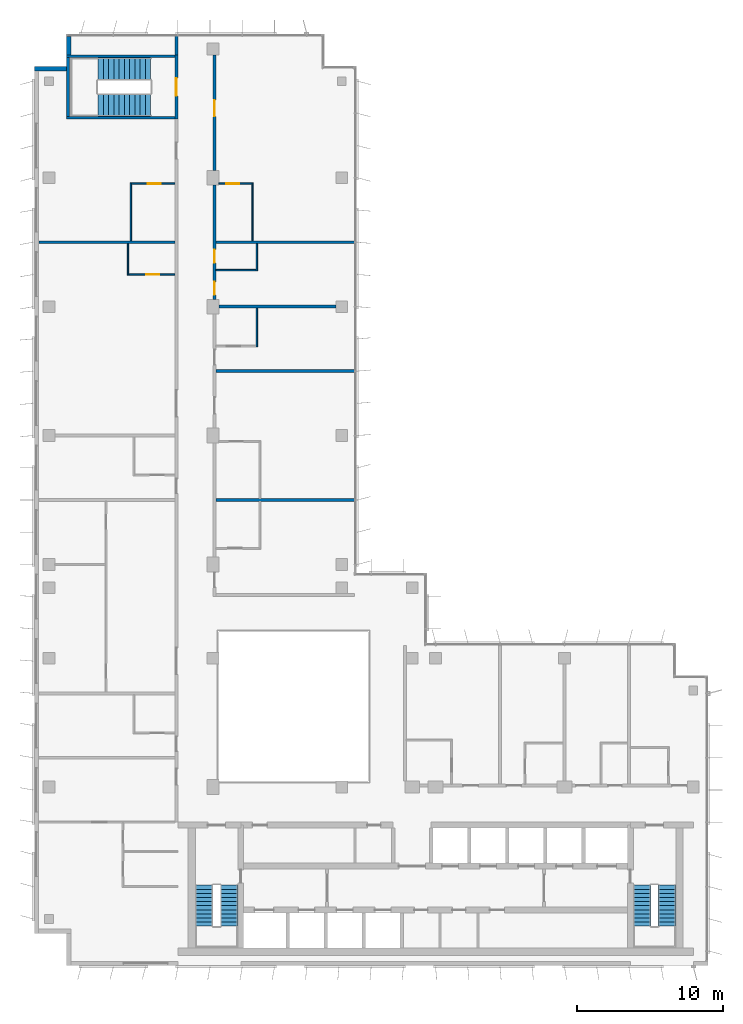
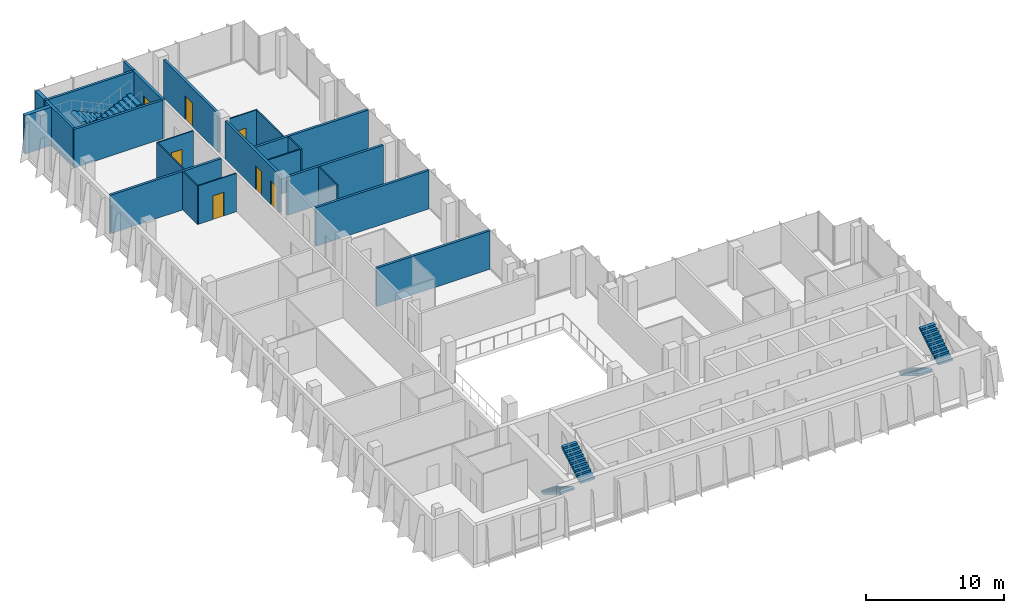
# One storey, part 12 of 15: 23 walls, 7 doors, 6 stair flights, 7 openings, 3 elements without a shape of their own.
"""IFC4 building model written with IfcOpenShell, lengths in metres."""

from ifc_helpers import new_model, si_unit, direction, frame, frame_2d, origin, place, context, subcontext, project, spatial, polyline, rectangle, outline, extrude, material, layer, layer_set, type_object, element, fill, aggregate, save


model = new_model("IFC4")

# Units and contexts
model_context = context("Model", 3, precision=1e-05, world=origin(), true_north=direction((0.0, 1.0)))
body_context = subcontext(model_context, "Body", "Model", "MODEL_VIEW")
ifc_project = project(units=[si_unit("LENGTHUNIT", "METRE"), si_unit("AREAUNIT", "SQUARE_METRE"), si_unit("VOLUMEUNIT", "CUBIC_METRE"), si_unit("PLANEANGLEUNIT", "RADIAN"), si_unit("MASSUNIT", "GRAM", prefix="KILO")], contexts=[model_context])

# Site, building, storey
site_placement = place(None, origin())
site = spatial("IfcSite", under=ifc_project, at=site_placement, CompositionType="ELEMENT")
building_placement = place(site_placement, origin())
building = spatial("IfcBuilding", under=site, at=building_placement, Name="Kemantara Hotel Tower", CompositionType="ELEMENT")
storey_placement = place(building_placement, frame((0.0, 0.0, 275.89990234375)))
storey = spatial("IfcBuildingStorey", under=building, at=storey_placement, Name="L69", CompositionType="ELEMENT", Elevation=275.89990234375)

# Walls
ifc_material_1 = material(Name="Bronze anodised aluminium cladding on insulated steel stud wall", Category="steel")
ifc_layer_1 = layer(ifc_material_1, 0.300048828125)
ifc_layer_set_1 = layer_set([ifc_layer_1], Name="Bronze anodised aluminium cladding on insulated steel stud wall")
wall_type_1 = type_object("IfcWallType", Name="BRONZE METAL-CLAD EXTERNAL WALL 300", PredefinedType="STANDARD", material=ifc_layer_set_1)
wall_1_placement = place(storey_placement, frame((2.35009765625, 63.449951171875, 0.0), z_axis=(0.0, 0.0, 1.0), x_axis=(0.0, -1.0, 0.0)))
element("IfcWall", 1, at=wall_1_placement, inside=storey, type_object=wall_type_1, Name="EXTERNAL WALL L69 T4-R03", PredefinedType="STANDARD", context=body_context, shape_type="SweptSolid", body=[
    extrude(rectangle(XDim=1.25, YDim=0.300048828125, at=frame_2d((0.625, 0.0))), origin(), (0.0, 0.0, 1.0), 3.400146484375),
])
wall_2_placement = place(storey_placement, frame((2.199951171875, 61.25, 0.0), z_axis=(0.0, 0.0, 1.0), x_axis=(-1.0, 0.0, 0.0)))
element("IfcWall", 2, at=wall_2_placement, inside=storey, type_object=wall_type_1, Name="EXTERNAL WALL L69 T4-R04", PredefinedType="STANDARD", context=body_context, shape_type="SweptSolid", body=[
    extrude(rectangle(XDim=2.199951171875, YDim=0.300048828125, at=frame_2d((1.10009765625, 0.0))), origin(), (0.0, 0.0, 1.0), 3.400146484375),
])
ifc_material_2 = material(Name="Gypsum board partition, steel studs and mineral wool, 200 mm", Category="steel")
ifc_layer_2 = layer(ifc_material_2, 0.199951171875)
ifc_layer_set_2 = layer_set([ifc_layer_2], Name="Gypsum board partition, steel studs and mineral wool, 200 mm")
wall_type_2 = type_object("IfcWallType", Name="CORRIDOR WALL 200", PredefinedType="PARTITIONING", material=ifc_layer_set_2)
wall_3_placement = place(storey_placement, frame((9.699951171875, 62.199951171875, 0.0), z_axis=(0.0, 0.0, 1.0), x_axis=(0.0, 1.0, 0.0)))
element("IfcWall", 3, at=wall_3_placement, inside=storey, type_object=wall_type_2, Name="CORRIDOR WALL 200 009", PredefinedType="PARTITIONING", context=body_context, shape_type="SweptSolid", body=[
    extrude(rectangle(XDim=1.280029296875, YDim=0.199951171875, at=frame_2d((0.64013671875, 0.0))), origin(), (0.0, 0.0, 1.0), 3.400146484375),
])

# Wall, openings, doors
wall_4_placement = place(storey_placement, frame((12.300048828125, 53.2998046875, 0.0), z_axis=(0.0, 0.0, 1.0), x_axis=(0.0, -1.0, 0.0)))
wall_4 = element("IfcWall", 4, at=wall_4_placement, inside=storey, type_object=wall_type_2, Name="CORRIDOR WALL 200 020", PredefinedType="PARTITIONING", context=body_context, shape_type="SweptSolid", body=[
    extrude(rectangle(XDim=7.7998046875, YDim=0.199951171875, at=frame_2d((3.89990234375, 0.0))), origin(), (0.0, 0.0, 1.0), 3.400146484375),
])
opening_1_placement = place(wall_4_placement, frame((6.599853515625, 0.0, 0.0)))
opening_1 = element("IfcOpeningElement", 5, at=opening_1_placement, cuts=wall_4, Name="Opening F34-030", PredefinedType="OPENING", context=body_context, shape_type="SweptSolid", body=[
    extrude(rectangle(XDim=0.89990234375, YDim=2.10009765625, at=frame_2d((0.449951171875, 1.050048828125))), frame((0.0, 0.10986328125, 0.0), z_axis=(0.0, -1.0, 0.0), x_axis=(1.0, 0.0, 0.0)), (0.0, 0.0, 1.0), 0.219970703125),
])
opening_2_placement = place(wall_4_placement, frame((4.39990234375, 0.0, 0.0)))
opening_2 = element("IfcOpeningElement", 6, at=opening_2_placement, cuts=wall_4, Name="Opening F34-031", PredefinedType="OPENING", context=body_context, shape_type="SweptSolid", body=[
    extrude(rectangle(XDim=0.89990234375, YDim=2.10009765625, at=frame_2d((0.449951171875, 1.050048828125))), frame((0.0, 0.10986328125, 0.0), z_axis=(0.0, -1.0, 0.0), x_axis=(1.0, 0.0, 0.0)), (0.0, 0.0, 1.0), 0.219970703125),
])
ifc_material_3 = material(Name="Steel door leaf with steel frame", Category="steel")
door_type_1 = type_object("IfcDoorType", Name="SERVICE ROOM DOOR 900 X 2100 FD60", OperationType="NOTDEFINED", PredefinedType="DOOR", material=ifc_material_3)
door_1_placement = place(opening_1_placement, origin())
door_1 = element("IfcDoor", 7, at=door_1_placement, inside=storey, type_object=door_type_1, Name="SERVICE ROOM DOOR F34-030", OperationType="SINGLE_SWING_RIGHT", OverallHeight=2.10009765625, OverallWidth=0.89990234375, PredefinedType="DOOR", context=body_context, shape_type="SweptSolid", body=[
    extrude(rectangle(XDim=0.89990234375, YDim=2.10009765625, at=frame_2d((0.449951171875, 1.050048828125))), frame((0.0, 0.02490234375, 0.0), z_axis=(0.0, -1.0, 0.0), x_axis=(1.0, 0.0, 0.0)), (0.0, 0.0, 1.0), 0.050048828125),
])
fill(opening_1, door_1)
door_2_placement = place(opening_2_placement, origin())
door_2 = element("IfcDoor", 8, at=door_2_placement, inside=storey, type_object=door_type_1, Name="SERVICE ROOM DOOR F34-031", OperationType="SINGLE_SWING_LEFT", OverallHeight=2.10009765625, OverallWidth=0.89990234375, PredefinedType="DOOR", context=body_context, shape_type="SweptSolid", body=[
    extrude(rectangle(XDim=0.89990234375, YDim=2.10009765625, at=frame_2d((0.449951171875, 1.050048828125))), frame((0.0, 0.02490234375, 0.0), z_axis=(0.0, -1.0, 0.0), x_axis=(1.0, 0.0, 0.0)), (0.0, 0.0, 1.0), 0.050048828125),
])
fill(opening_2, door_2)

# Wall, opening, door
wall_5_placement = place(storey_placement, frame((12.300048828125, 62.199951171875, 0.0), z_axis=(0.0, 0.0, 1.0), x_axis=(0.0, -1.0, 0.0)))
wall_5 = element("IfcWall", 9, at=wall_5_placement, inside=storey, type_object=wall_type_2, Name="CORRIDOR WALL 200 021", PredefinedType="PARTITIONING", context=body_context, shape_type="SweptSolid", body=[
    extrude(rectangle(XDim=7.89990234375, YDim=0.199951171875, at=frame_2d((3.949951171875, 0.0))), origin(), (0.0, 0.0, 1.0), 3.400146484375),
])
opening_3_placement = place(wall_5_placement, frame((3.099853515625, 0.0, 0.0)))
opening_3 = element("IfcOpeningElement", 10, at=opening_3_placement, cuts=wall_5, Name="Opening F34-032", PredefinedType="OPENING", context=body_context, shape_type="SweptSolid", body=[
    extrude(rectangle(XDim=1.10009765625, YDim=2.10009765625, at=frame_2d((0.550048828125, 1.050048828125))), frame((0.0, 0.10986328125, 0.0), z_axis=(0.0, -1.0, 0.0), x_axis=(1.0, 0.0, 0.0)), (0.0, 0.0, 1.0), 0.219970703125),
])
ifc_material_4 = material(Name="Hardwood veneer door leaf with steel frame", Category="steel")
door_type_2 = type_object("IfcDoorType", Name="SUITE ENTRANCE DOOR 1100 X 2100 FD30S", OperationType="NOTDEFINED", PredefinedType="DOOR", material=ifc_material_4)
door_3_placement = place(opening_3_placement, origin())
door_3 = element("IfcDoor", 11, at=door_3_placement, inside=storey, type_object=door_type_2, Name="SUITE ENTRANCE DOOR F34-032", OperationType="SINGLE_SWING_LEFT", OverallHeight=2.10009765625, OverallWidth=1.10009765625, PredefinedType="DOOR", context=body_context, shape_type="SweptSolid", body=[
    extrude(rectangle(XDim=1.10009765625, YDim=2.10009765625, at=frame_2d((0.550048828125, 1.050048828125))), frame((0.0, 0.02490234375, 0.0), z_axis=(0.0, -1.0, 0.0), x_axis=(1.0, 0.0, 0.0)), (0.0, 0.0, 1.0), 0.050048828125),
])
fill(opening_3, door_3)

ifc_material_5 = material(Name="Concrete fc 40 MPa", Category="concrete")
ifc_layer_3 = layer(ifc_material_5, 0.199951171875)
ifc_layer_set_3 = layer_set([ifc_layer_3], Name="Concrete fc 40 MPa")
wall_type_3 = type_object("IfcWallType", Name="Concrete stair wall 200 mm", PredefinedType="SHEAR", material=ifc_layer_set_3)
wall_6_placement = place(storey_placement, frame((9.699951171875, 57.800048828125, 0.0), z_axis=(0.0, 0.0, 1.0), x_axis=(0.0, 1.0, 0.0)))
wall_6 = element("IfcWall", 12, at=wall_6_placement, inside=storey, type_object=wall_type_3, Name="Stair ST4 enclosure wall with door", PredefinedType="SHEAR", context=body_context, shape_type="SweptSolid", body=[
    extrude(rectangle(XDim=4.39990234375, YDim=0.199951171875, at=frame_2d((2.199951171875, 0.0))), origin(), (0.0, 0.0, 1.0), 3.400146484375),
])
opening_4_placement = place(wall_6_placement, frame((1.60009765625, 0.0, 0.0)))
opening_4 = element("IfcOpeningElement", 13, at=opening_4_placement, cuts=wall_6, Name="Opening ST4-C", PredefinedType="OPENING", context=body_context, shape_type="SweptSolid", body=[
    extrude(rectangle(XDim=1.199951171875, YDim=2.10009765625, at=frame_2d((0.60009765625, 1.050048828125))), frame((0.0, 0.10986328125, 0.0), z_axis=(0.0, -1.0, 0.0), x_axis=(1.0, 0.0, 0.0)), (0.0, 0.0, 1.0), 0.219970703125),
])
ifc_material_6 = material(Name="Steel fire door", Category="steel")
door_type_3 = type_object("IfcDoorType", Name="Fire door FD90 1200 x 2100", OperationType="NOTDEFINED", PredefinedType="DOOR", material=ifc_material_6)
door_4_placement = place(opening_4_placement, origin())
door_4 = element("IfcDoor", 14, at=door_4_placement, inside=storey, type_object=door_type_3, Name="Stair ST4 door", OperationType="SINGLE_SWING_RIGHT", OverallHeight=2.10009765625, OverallWidth=1.199951171875, PredefinedType="DOOR", context=body_context, shape_type="SweptSolid", body=[
    extrude(rectangle(XDim=1.199951171875, YDim=2.10009765625, at=frame_2d((0.60009765625, 1.050048828125))), frame((0.0, 0.02490234375, 0.0), z_axis=(0.0, -1.0, 0.0), x_axis=(1.0, 0.0, 0.0)), (0.0, 0.0, 1.0), 0.050048828125),
])
fill(opening_4, door_4)

# Walls
for number, where, z_axis, x_axis, name in (
    (15, (2.199951171875, 62.10009765625, 0.0), (0.0, 0.0, 1.0), (1.0, 0.0, 0.0), "Stair ST4 enclosure wall N"),
    (16, (2.199951171875, 57.89990234375, 0.0), (0.0, 0.0, 1.0), (1.0, 0.0, 0.0), "Stair ST4 enclosure wall S"),
):
    element("IfcWall", number, at=place(storey_placement, frame(where, z_axis=z_axis, x_axis=x_axis)), inside=storey, type_object=wall_type_3, Name=name, PredefinedType="SHEAR", context=body_context, shape_type="SweptSolid", body=[
        extrude(rectangle(XDim=7.400146484375, YDim=0.199951171875, at=frame_2d((3.7001953125, 0.0))), origin(), (0.0, 0.0, 1.0), 3.400146484375),
    ])
wall_7_placement = place(storey_placement, frame((2.300048828125, 58.0, 0.0), z_axis=(0.0, 0.0, 1.0), x_axis=(0.0, 1.0, 0.0)))
element("IfcWall", 17, at=wall_7_placement, inside=storey, type_object=wall_type_3, Name="Stair ST4 enclosure wall W", PredefinedType="SHEAR", context=body_context, shape_type="SweptSolid", body=[
    extrude(rectangle(XDim=4.0, YDim=0.199951171875, at=frame_2d((2.0, 0.0))), origin(), (0.0, 0.0, 1.0), 3.400146484375),
])
ifc_layer_4 = layer(ifc_material_2, 0.199951171875)
ifc_layer_set_4 = layer_set([ifc_layer_4], Name="Gypsum board partition, steel studs and mineral wool, 200 mm")
wall_type_4 = type_object("IfcWallType", Name="GUEST ROOM PARTY WALL 200", PredefinedType="PARTITIONING", material=ifc_layer_set_4)
wall_8_placement = place(storey_placement, frame((12.39990234375, 31.800048828125, 0.0), z_axis=(0.0, 0.0, 1.0), x_axis=(1.0, 0.0, 0.0)))
element("IfcWall", 18, at=wall_8_placement, inside=storey, type_object=wall_type_4, Name="GUEST ROOM PARTY WALL 200 013", PredefinedType="PARTITIONING", context=body_context, shape_type="SweptSolid", body=[
    extrude(rectangle(XDim=9.47021484375, YDim=0.199951171875, at=frame_2d((4.735107421875, 0.0))), origin(), (0.0, 0.0, 1.0), 3.400146484375),
])
wall_9_placement = place(storey_placement, frame((0.31005859375, 49.39990234375, 0.0), z_axis=(0.0, 0.0, 1.0), x_axis=(1.0, 0.0, 0.0)))
element("IfcWall", 19, at=wall_9_placement, inside=storey, type_object=wall_type_4, Name="GUEST ROOM PARTY WALL 200 015", PredefinedType="PARTITIONING", context=body_context, shape_type="SweptSolid", body=[
    extrude(rectangle(XDim=9.2900390625, YDim=0.199951171875, at=frame_2d((4.64501953125, 0.0))), origin(), (0.0, 0.0, 1.0), 3.400146484375),
])
for number, where, z_axis, x_axis, name in (
    (20, (12.39990234375, 49.39990234375, 0.0), (0.0, 0.0, 1.0), (1.0, 0.0, 0.0), "GUEST ROOM PARTY WALL 200 016"),
    (21, (12.39990234375, 40.60009765625, 0.0), (0.0, 0.0, 1.0), (1.0, 0.0, 0.0), "GUEST ROOM PARTY WALL 200 023"),
):
    element("IfcWall", number, at=place(storey_placement, frame(where, z_axis=z_axis, x_axis=x_axis)), inside=storey, type_object=wall_type_4, Name=name, PredefinedType="PARTITIONING", context=body_context, shape_type="SweptSolid", body=[
        extrude(rectangle(XDim=9.47021484375, YDim=0.199951171875, at=frame_2d((4.735107421875, 0.0))), origin(), (0.0, 0.0, 1.0), 3.400146484375),
    ])
wall_10_placement = place(storey_placement, frame((12.60009765625, 45.0, 0.0), z_axis=(0.0, 0.0, 1.0), x_axis=(1.0, 0.0, 0.0)))
element("IfcWall", 22, at=wall_10_placement, inside=storey, type_object=wall_type_4, Name="GUEST ROOM PARTY WALL 200 024", PredefinedType="PARTITIONING", context=body_context, shape_type="SweptSolid", body=[
    extrude(rectangle(XDim=7.999755859375, YDim=0.199951171875, at=frame_2d((4.0, 0.0))), origin(), (0.0, 0.0, 1.0), 3.400146484375),
])
ifc_material_7 = material(Name="Gypsum board partition on steel studs, 100 mm", Category="steel")
ifc_layer_5 = layer(ifc_material_7, 0.10009765625)
ifc_layer_set_5 = layer_set([ifc_layer_5], Name="Gypsum board partition on steel studs, 100 mm")
wall_type_5 = type_object("IfcWallType", Name="ROOM PARTITION 100", PredefinedType="PARTITIONING", material=ifc_layer_set_5)
wall_11_placement = place(storey_placement, frame((6.39990234375, 47.14990234375, 0.0), z_axis=(0.0, 0.0, 1.0), x_axis=(0.0, 1.0, 0.0)))
element("IfcWall", 23, at=wall_11_placement, inside=storey, type_object=wall_type_5, Name="ROOM PARTITION 100 043", PredefinedType="PARTITIONING", context=body_context, shape_type="SweptSolid", body=[
    extrude(rectangle(XDim=2.150146484375, YDim=0.10009765625, at=frame_2d((1.0751953125, 0.0))), origin(), (0.0, 0.0, 1.0), 3.400146484375),
])

# Wall, opening, door
wall_12_placement = place(storey_placement, frame((6.449951171875, 47.199951171875, 0.0), z_axis=(0.0, 0.0, 1.0), x_axis=(1.0, 0.0, 0.0)))
wall_12 = element("IfcWall", 24, at=wall_12_placement, inside=storey, type_object=wall_type_5, Name="ROOM PARTITION 100 044", PredefinedType="PARTITIONING", context=body_context, shape_type="SweptSolid", body=[
    extrude(rectangle(XDim=3.150146484375, YDim=0.10009765625, at=frame_2d((1.5751953125, 0.0))), origin(), (0.0, 0.0, 1.0), 3.400146484375),
])
opening_5_placement = place(wall_12_placement, frame((1.199951171875, 0.0, 0.0)))
opening_5 = element("IfcOpeningElement", 25, at=opening_5_placement, cuts=wall_12, Name="Opening F34-021", PredefinedType="OPENING", context=body_context, shape_type="SweptSolid", body=[
    extrude(rectangle(XDim=0.89990234375, YDim=2.10009765625, at=frame_2d((0.449951171875, 1.050048828125))), frame((0.0, 0.06005859375, 0.0), z_axis=(0.0, -1.0, 0.0), x_axis=(1.0, 0.0, 0.0)), (0.0, 0.0, 1.0), 0.1201171875),
])
door_type_4 = type_object("IfcDoorType", Name="PANTRY DOOR 900 X 2100", OperationType="NOTDEFINED", PredefinedType="DOOR", material=ifc_material_4)
door_5_placement = place(opening_5_placement, origin())
door_5 = element("IfcDoor", 26, at=door_5_placement, inside=storey, type_object=door_type_4, Name="PANTRY DOOR F34-021", OperationType="SINGLE_SWING_RIGHT", OverallHeight=2.10009765625, OverallWidth=0.89990234375, PredefinedType="DOOR", context=body_context, shape_type="SweptSolid", body=[
    extrude(rectangle(XDim=0.89990234375, YDim=2.10009765625, at=frame_2d((0.449951171875, 1.050048828125))), frame((0.0, 0.02490234375, 0.0), z_axis=(0.0, -1.0, 0.0), x_axis=(1.0, 0.0, 0.0)), (0.0, 0.0, 1.0), 0.050048828125),
])
fill(opening_5, door_5)

# Wall
wall_13_placement = place(storey_placement, frame((6.60009765625, 49.5, 0.0), z_axis=(0.0, 0.0, 1.0), x_axis=(0.0, 1.0, 0.0)))
element("IfcWall", 27, at=wall_13_placement, inside=storey, type_object=wall_type_5, Name="ROOM PARTITION 100 045", PredefinedType="PARTITIONING", context=body_context, shape_type="SweptSolid", body=[
    extrude(rectangle(XDim=3.949951171875, YDim=0.10009765625, at=frame_2d((1.97509765625, 0.0))), origin(), (0.0, 0.0, 1.0), 3.400146484375),
])

# Wall, opening, door
wall_14_placement = place(storey_placement, frame((9.60009765625, 53.39990234375, 0.0), z_axis=(0.0, 0.0, 1.0), x_axis=(-1.0, 0.0, 0.0)))
wall_14 = element("IfcWall", 28, at=wall_14_placement, inside=storey, type_object=wall_type_5, Name="ROOM PARTITION 100 046", PredefinedType="PARTITIONING", context=body_context, shape_type="SweptSolid", body=[
    extrude(rectangle(XDim=2.9501953125, YDim=0.10009765625, at=frame_2d((1.47509765625, 0.0))), origin(), (0.0, 0.0, 1.0), 3.400146484375),
])
opening_6_placement = place(wall_14_placement, frame((0.949951171875, 0.0, 0.0)))
opening_6 = element("IfcOpeningElement", 29, at=opening_6_placement, cuts=wall_14, Name="Opening F34-023", PredefinedType="OPENING", context=body_context, shape_type="SweptSolid", body=[
    extrude(rectangle(XDim=0.89990234375, YDim=2.10009765625, at=frame_2d((0.449951171875, 1.050048828125))), frame((0.0, 0.06005859375, 0.0), z_axis=(0.0, -1.0, 0.0), x_axis=(1.0, 0.0, 0.0)), (0.0, 0.0, 1.0), 0.1201171875),
])
door_type_5 = type_object("IfcDoorType", Name="BATHROOM DOOR 900 X 2100", OperationType="NOTDEFINED", PredefinedType="DOOR", material=ifc_material_4)
door_6_placement = place(opening_6_placement, origin())
door_6 = element("IfcDoor", 30, at=door_6_placement, inside=storey, type_object=door_type_5, Name="BATHROOM DOOR F34-023", OperationType="SINGLE_SWING_LEFT", OverallHeight=2.10009765625, OverallWidth=0.89990234375, PredefinedType="DOOR", context=body_context, shape_type="SweptSolid", body=[
    extrude(rectangle(XDim=0.89990234375, YDim=2.10009765625, at=frame_2d((0.449951171875, 1.050048828125))), frame((0.0, 0.02490234375, 0.0), z_axis=(0.0, -1.0, 0.0), x_axis=(1.0, 0.0, 0.0)), (0.0, 0.0, 1.0), 0.050048828125),
])
fill(opening_6, door_6)

wall_15_placement = place(storey_placement, frame((14.85009765625, 53.39990234375, 0.0), z_axis=(0.0, 0.0, 1.0), x_axis=(-1.0, 0.0, 0.0)))
wall_15 = element("IfcWall", 31, at=wall_15_placement, inside=storey, type_object=wall_type_5, Name="ROOM PARTITION 100 047", PredefinedType="PARTITIONING", context=body_context, shape_type="SweptSolid", body=[
    extrude(rectangle(XDim=2.25, YDim=0.10009765625, at=frame_2d((1.125, 0.0))), origin(), (0.0, 0.0, 1.0), 3.400146484375),
])
opening_7_placement = place(wall_15_placement, frame((0.85009765625, 0.0, 0.0)))
opening_7 = element("IfcOpeningElement", 32, at=opening_7_placement, cuts=wall_15, Name="Opening F34-033", PredefinedType="OPENING", context=body_context, shape_type="SweptSolid", body=[
    extrude(rectangle(XDim=0.89990234375, YDim=2.10009765625, at=frame_2d((0.449951171875, 1.050048828125))), frame((0.0, 0.06005859375, 0.0), z_axis=(0.0, -1.0, 0.0), x_axis=(1.0, 0.0, 0.0)), (0.0, 0.0, 1.0), 0.1201171875),
])
door_7_placement = place(opening_7_placement, origin())
door_7 = element("IfcDoor", 33, at=door_7_placement, inside=storey, type_object=door_type_5, Name="BATHROOM DOOR F34-033", OperationType="SINGLE_SWING_RIGHT", OverallHeight=2.10009765625, OverallWidth=0.89990234375, PredefinedType="DOOR", context=body_context, shape_type="SweptSolid", body=[
    extrude(rectangle(XDim=0.89990234375, YDim=2.10009765625, at=frame_2d((0.449951171875, 1.050048828125))), frame((0.0, 0.02490234375, 0.0), z_axis=(0.0, -1.0, 0.0), x_axis=(1.0, 0.0, 0.0)), (0.0, 0.0, 1.0), 0.050048828125),
])
fill(opening_7, door_7)

# Walls
wall_16_placement = place(storey_placement, frame((15.199951171875, 42.25, 0.0), z_axis=(0.0, 0.0, 1.0), x_axis=(0.0, 1.0, 0.0)))
element("IfcWall", 34, at=wall_16_placement, inside=storey, type_object=wall_type_5, Name="ROOM PARTITION 100 052", PredefinedType="PARTITIONING", context=body_context, shape_type="SweptSolid", body=[
    extrude(rectangle(XDim=2.64990234375, YDim=0.10009765625, at=frame_2d((1.324951171875, 0.0))), origin(), (0.0, 0.0, 1.0), 3.400146484375),
])
wall_17_placement = place(storey_placement, frame((15.199951171875, 47.449951171875, 0.0), z_axis=(0.0, 0.0, 1.0), x_axis=(0.0, 1.0, 0.0)))
element("IfcWall", 35, at=wall_17_placement, inside=storey, type_object=wall_type_5, Name="ROOM PARTITION 100 053", PredefinedType="PARTITIONING", context=body_context, shape_type="SweptSolid", body=[
    extrude(rectangle(XDim=1.85009765625, YDim=0.10009765625, at=frame_2d((0.925048828125, 0.0))), origin(), (0.0, 0.0, 1.0), 3.400146484375),
])
wall_18_placement = place(storey_placement, frame((12.39990234375, 47.5, 0.0), z_axis=(0.0, 0.0, 1.0), x_axis=(1.0, 0.0, 0.0)))
element("IfcWall", 36, at=wall_18_placement, inside=storey, type_object=wall_type_5, Name="ROOM PARTITION 100 055", PredefinedType="PARTITIONING", context=body_context, shape_type="SweptSolid", body=[
    extrude(rectangle(XDim=2.75, YDim=0.10009765625, at=frame_2d((1.375, 0.0))), origin(), (0.0, 0.0, 1.0), 3.400146484375),
])
wall_19_placement = place(storey_placement, frame((14.89990234375, 49.5, 0.0), z_axis=(0.0, 0.0, 1.0), x_axis=(0.0, 1.0, 0.0)))
element("IfcWall", 37, at=wall_19_placement, inside=storey, type_object=wall_type_5, Name="ROOM PARTITION 100 056", PredefinedType="PARTITIONING", context=body_context, shape_type="SweptSolid", body=[
    extrude(rectangle(XDim=3.949951171875, YDim=0.10009765625, at=frame_2d((1.97509765625, 0.0))), origin(), (0.0, 0.0, 1.0), 3.400146484375),
])

# Stair, stair flights
stair_type_1 = type_object("IfcStairType", Name="Stair 1200 wide 22 risers of 168 x 280 mm", PredefinedType="HALF_TURN_STAIR", material=ifc_material_5)
stair_1_placement = place(storey_placement, origin())
stair_1 = element("IfcStair", 38, at=stair_1_placement, inside=storey, type_object=stair_type_1, Name="L69 Exit stair ST1", PredefinedType="HALF_TURN_STAIR")
stair_flight_type_1 = type_object("IfcStairFlightType", Name="Stair flight 1200 wide 168 x 280 mm", PredefinedType="STRAIGHT", material=ifc_material_5)
stair_flight_1_placement = place(storey_placement, frame((11.60009765625, 5.5, 0.0), z_axis=(0.0, 0.0, 1.0), x_axis=(0.0, -1.0, 0.0)))
stair_flight_1 = element("IfcStairFlight", 39, at=stair_flight_1_placement, type_object=stair_flight_type_1, Name="ST1 flight 1", NumberOfRisers=11, NumberOfTreads=10, PredefinedType="STRAIGHT", RiserHeight=0.168181818, TreadLength=0.28, context=body_context, shape_type="SweptSolid", body=[
    extrude(outline(polyline([(0.0, 0.0), (0.0, 0.168212890625), (0.280029296875, 0.168212890625), (0.280029296875, 0.33642578125), (0.56005859375, 0.33642578125), (0.56005859375, 0.504638671875), (0.840087890625, 0.504638671875), (0.840087890625, 0.672607421875), (1.1201171875, 0.672607421875), (1.1201171875, 0.8408203125), (1.39990234375, 0.8408203125), (1.39990234375, 1.009033203125), (1.679931640625, 1.009033203125), (1.679931640625, 1.17724609375), (1.9599609375, 1.17724609375), (1.9599609375, 1.345458984375), (2.239990234375, 1.345458984375), (2.239990234375, 1.513671875), (2.52001953125, 1.513671875), (2.52001953125, 1.681884765625), (2.800048828125, 1.681884765625), (2.800048828125, 1.85009765625), (2.800048828125, 1.5068359375), (0.291015625, 0.0), (0.0, 0.0)])), frame((0.0, 0.60009765625, 0.0), z_axis=(0.0, -1.0, 0.0), x_axis=(1.0, 0.0, 0.0)), (0.0, 0.0, 1.0), 1.199951171875),
])
stair_flight_2_placement = place(storey_placement, frame((13.300048828125, 2.699951171875, 1.85009765625), z_axis=(0.0, 0.0, 1.0), x_axis=(0.0, 1.0, 0.0)))
stair_flight_2 = element("IfcStairFlight", 40, at=stair_flight_2_placement, type_object=stair_flight_type_1, Name="ST1 flight 2", NumberOfRisers=11, NumberOfTreads=10, PredefinedType="STRAIGHT", RiserHeight=0.168181818, TreadLength=0.28, context=body_context, shape_type="SweptSolid", body=[
    extrude(outline(polyline([(0.0, 0.0), (0.0, 0.168212890625), (0.280029296875, 0.168212890625), (0.280029296875, 0.33642578125), (0.56005859375, 0.33642578125), (0.56005859375, 0.504638671875), (0.840087890625, 0.504638671875), (0.840087890625, 0.672607421875), (1.1201171875, 0.672607421875), (1.1201171875, 0.8408203125), (1.39990234375, 0.8408203125), (1.39990234375, 1.009033203125), (1.679931640625, 1.009033203125), (1.679931640625, 1.17724609375), (1.9599609375, 1.17724609375), (1.9599609375, 1.345458984375), (2.239990234375, 1.345458984375), (2.239990234375, 1.513671875), (2.52001953125, 1.513671875), (2.52001953125, 1.681884765625), (2.800048828125, 1.681884765625), (2.800048828125, 1.85009765625), (2.800048828125, 1.5068359375), (0.291015625, 0.0), (0.0, 0.0)])), frame((0.0, 0.60009765625, 0.0), z_axis=(0.0, -1.0, 0.0), x_axis=(1.0, 0.0, 0.0)), (0.0, 0.0, 1.0), 1.199951171875),
])
aggregate(stair_1, [stair_flight_1, stair_flight_2])

stair_2_placement = place(storey_placement, origin())
stair_2 = element("IfcStair", 41, at=stair_2_placement, inside=storey, type_object=stair_type_1, Name="L69 Exit stair ST2", PredefinedType="HALF_TURN_STAIR")
stair_flight_3_placement = place(storey_placement, frame((41.5, 5.5, 0.0), z_axis=(0.0, 0.0, 1.0), x_axis=(0.0, -1.0, 0.0)))
stair_flight_3 = element("IfcStairFlight", 42, at=stair_flight_3_placement, type_object=stair_flight_type_1, Name="ST2 flight 1", NumberOfRisers=11, NumberOfTreads=10, PredefinedType="STRAIGHT", RiserHeight=0.168181818, TreadLength=0.28, context=body_context, shape_type="SweptSolid", body=[
    extrude(outline(polyline([(0.0, 0.0), (0.0, 0.168212890625), (0.280029296875, 0.168212890625), (0.280029296875, 0.33642578125), (0.56005859375, 0.33642578125), (0.56005859375, 0.504638671875), (0.840087890625, 0.504638671875), (0.840087890625, 0.672607421875), (1.1201171875, 0.672607421875), (1.1201171875, 0.8408203125), (1.39990234375, 0.8408203125), (1.39990234375, 1.009033203125), (1.679931640625, 1.009033203125), (1.679931640625, 1.17724609375), (1.9599609375, 1.17724609375), (1.9599609375, 1.345458984375), (2.239990234375, 1.345458984375), (2.239990234375, 1.513671875), (2.52001953125, 1.513671875), (2.52001953125, 1.681884765625), (2.800048828125, 1.681884765625), (2.800048828125, 1.85009765625), (2.800048828125, 1.5068359375), (0.291015625, 0.0), (0.0, 0.0)])), frame((0.0, 0.60009765625, 0.0), z_axis=(0.0, -1.0, 0.0), x_axis=(1.0, 0.0, 0.0)), (0.0, 0.0, 1.0), 1.199951171875),
])
stair_flight_4_placement = place(storey_placement, frame((43.199951171875, 2.699951171875, 1.85009765625), z_axis=(0.0, 0.0, 1.0), x_axis=(0.0, 1.0, 0.0)))
stair_flight_4 = element("IfcStairFlight", 43, at=stair_flight_4_placement, type_object=stair_flight_type_1, Name="ST2 flight 2", NumberOfRisers=11, NumberOfTreads=10, PredefinedType="STRAIGHT", RiserHeight=0.168181818, TreadLength=0.28, context=body_context, shape_type="SweptSolid", body=[
    extrude(outline(polyline([(0.0, 0.0), (0.0, 0.168212890625), (0.280029296875, 0.168212890625), (0.280029296875, 0.33642578125), (0.56005859375, 0.33642578125), (0.56005859375, 0.504638671875), (0.840087890625, 0.504638671875), (0.840087890625, 0.672607421875), (1.1201171875, 0.672607421875), (1.1201171875, 0.8408203125), (1.39990234375, 0.8408203125), (1.39990234375, 1.009033203125), (1.679931640625, 1.009033203125), (1.679931640625, 1.17724609375), (1.9599609375, 1.17724609375), (1.9599609375, 1.345458984375), (2.239990234375, 1.345458984375), (2.239990234375, 1.513671875), (2.52001953125, 1.513671875), (2.52001953125, 1.681884765625), (2.800048828125, 1.681884765625), (2.800048828125, 1.85009765625), (2.800048828125, 1.5068359375), (0.291015625, 0.0), (0.0, 0.0)])), frame((0.0, 0.60009765625, 0.0), z_axis=(0.0, -1.0, 0.0), x_axis=(1.0, 0.0, 0.0)), (0.0, 0.0, 1.0), 1.199951171875),
])
aggregate(stair_2, [stair_flight_3, stair_flight_4])

stair_type_2 = type_object("IfcStairType", Name="Stair 1550 wide 22 risers of 168 x 360 mm", PredefinedType="HALF_TURN_STAIR", material=ifc_material_5)
stair_3_placement = place(storey_placement, origin())
stair_3 = element("IfcStair", 44, at=stair_3_placement, inside=storey, type_object=stair_type_2, Name="L69 Exit stair ST4", PredefinedType="HALF_TURN_STAIR")
stair_flight_type_2 = type_object("IfcStairFlightType", Name="Stair flight 1550 wide 168 x 360 mm", PredefinedType="STRAIGHT", material=ifc_material_5)
stair_flight_5_placement = place(storey_placement, frame((7.949951171875, 61.22509765625, 0.0), z_axis=(0.0, 0.0, 1.0), x_axis=(-1.0, 0.0, 0.0)))
stair_flight_5 = element("IfcStairFlight", 45, at=stair_flight_5_placement, type_object=stair_flight_type_2, Name="ST4 flight 1", NumberOfRisers=11, NumberOfTreads=10, PredefinedType="STRAIGHT", RiserHeight=0.168181818, TreadLength=0.36, context=body_context, shape_type="SweptSolid", body=[
    extrude(outline(polyline([(0.0, 0.0), (0.0, 0.168212890625), (0.360107421875, 0.168212890625), (0.360107421875, 0.33642578125), (0.719970703125, 0.33642578125), (0.719970703125, 0.504638671875), (1.080078125, 0.504638671875), (1.080078125, 0.672607421875), (1.43994140625, 0.672607421875), (1.43994140625, 0.8408203125), (1.800048828125, 0.8408203125), (1.800048828125, 1.009033203125), (2.159912109375, 1.009033203125), (2.159912109375, 1.17724609375), (2.52001953125, 1.17724609375), (2.52001953125, 1.345458984375), (2.8798828125, 1.345458984375), (2.8798828125, 1.513671875), (3.239990234375, 1.513671875), (3.239990234375, 1.681884765625), (3.60009765625, 1.681884765625), (3.60009765625, 1.85009765625), (3.60009765625, 1.516357421875), (0.354248046875, 0.0), (0.0, 0.0)])), frame((0.0, 0.77490234375, 0.0), z_axis=(0.0, -1.0, 0.0), x_axis=(1.0, 0.0, 0.0)), (0.0, 0.0, 1.0), 1.550048828125),
])
stair_flight_6_placement = place(storey_placement, frame((4.35009765625, 58.77490234375, 1.85009765625), z_axis=(0.0, 0.0, 1.0), x_axis=(1.0, 0.0, 0.0)))
stair_flight_6 = element("IfcStairFlight", 46, at=stair_flight_6_placement, type_object=stair_flight_type_2, Name="ST4 flight 2", NumberOfRisers=11, NumberOfTreads=10, PredefinedType="STRAIGHT", RiserHeight=0.168181818, TreadLength=0.36, context=body_context, shape_type="SweptSolid", body=[
    extrude(outline(polyline([(0.0, 0.0), (0.0, 0.168212890625), (0.360107421875, 0.168212890625), (0.360107421875, 0.33642578125), (0.719970703125, 0.33642578125), (0.719970703125, 0.504638671875), (1.080078125, 0.504638671875), (1.080078125, 0.672607421875), (1.43994140625, 0.672607421875), (1.43994140625, 0.8408203125), (1.800048828125, 0.8408203125), (1.800048828125, 1.009033203125), (2.159912109375, 1.009033203125), (2.159912109375, 1.17724609375), (2.52001953125, 1.17724609375), (2.52001953125, 1.345458984375), (2.8798828125, 1.345458984375), (2.8798828125, 1.513671875), (3.239990234375, 1.513671875), (3.239990234375, 1.681884765625), (3.60009765625, 1.681884765625), (3.60009765625, 1.85009765625), (3.60009765625, 1.516357421875), (0.354248046875, 0.0), (0.0, 0.0)])), frame((0.0, 0.77490234375, 0.0), z_axis=(0.0, -1.0, 0.0), x_axis=(1.0, 0.0, 0.0)), (0.0, 0.0, 1.0), 1.550048828125),
])
aggregate(stair_3, [stair_flight_5, stair_flight_6])

save(model, "model.ifc")
